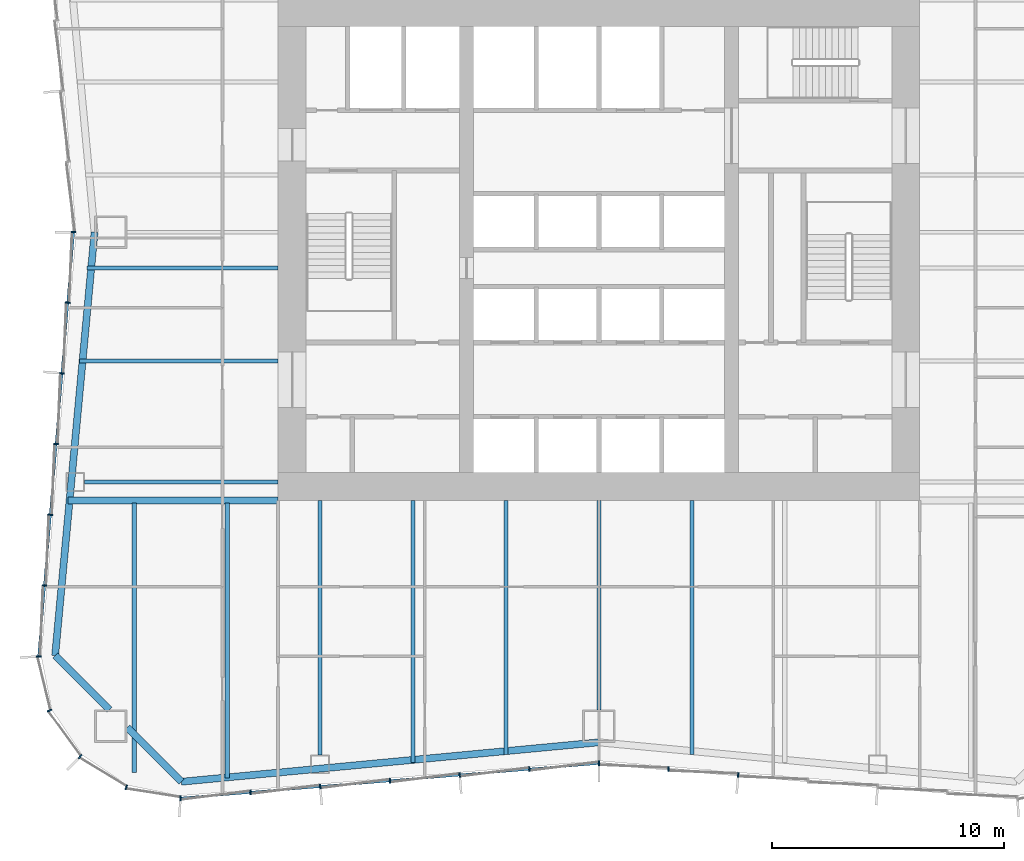
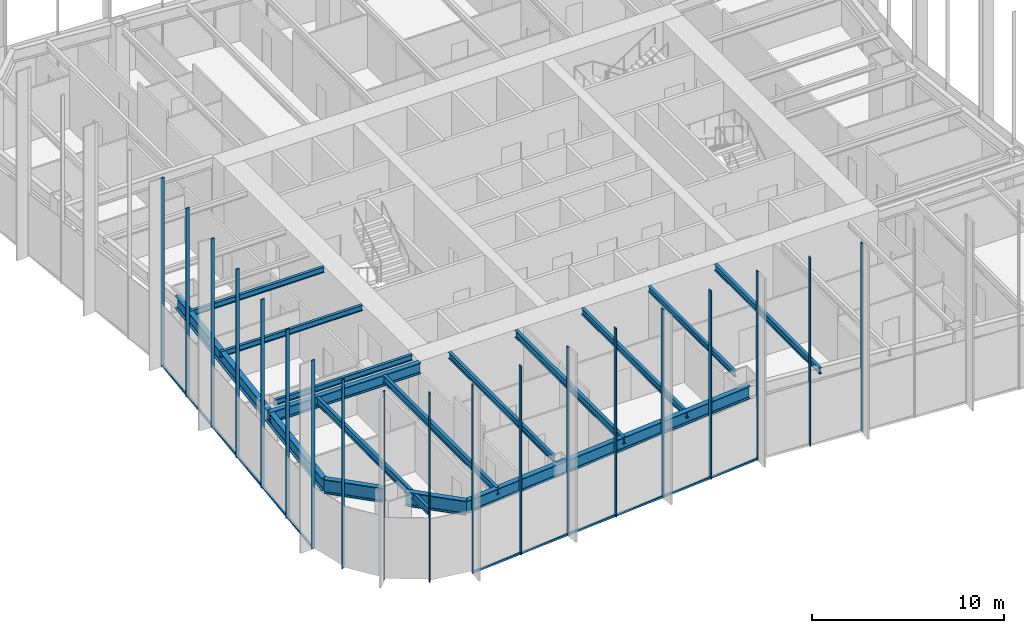
# One storey, part 2 of 13: 21 members, 15 beams, 3 elements without a shape of their own.
"""IFC4 building model written with IfcOpenShell, lengths in metres."""

from ifc_helpers import new_model, si_unit, direction, frame, origin, origin_2d, place, context, subcontext, project, spatial, rectangle, i_section, extrude, material, material_profile, profile_set, type_object, element, aggregate, save


model = new_model("IFC4")

# Units and contexts
model_context = context("Model", 3, precision=1e-05, world=origin(), true_north=direction((0.0, 1.0)))
body_context = subcontext(model_context, "Body", "Model", "MODEL_VIEW")
ifc_project = project(units=[si_unit("LENGTHUNIT", "METRE"), si_unit("AREAUNIT", "SQUARE_METRE"), si_unit("VOLUMEUNIT", "CUBIC_METRE"), si_unit("PLANEANGLEUNIT", "RADIAN"), si_unit("MASSUNIT", "GRAM", prefix="KILO")], contexts=[model_context])

# Site, building, storey
site_placement = place(None, origin())
site = spatial("IfcSite", under=ifc_project, at=site_placement, CompositionType="ELEMENT")
building_placement = place(site_placement, origin())
building = spatial("IfcBuilding", under=site, at=building_placement, Name="Verdant Reach Tower", CompositionType="ELEMENT")
storey_placement = place(building_placement, frame((0.0, 0.0, 70.0)))
storey = spatial("IfcBuildingStorey", under=building, at=storey_placement, Name="L15", CompositionType="ELEMENT", Elevation=70.0)

# Curtain wall, members
ifc_material_1 = material(Name="Anodised aluminium", Category="aluminium")
curtain_wall_type = type_object("IfcCurtainWallType", Name="EN-CW SYSTEM Z1", PredefinedType="NOTDEFINED", material=ifc_material_1)
curtain_wall_1_placement = place(storey_placement, origin())
curtain_wall_1 = element("IfcCurtainWall", 1, at=curtain_wall_1_placement, inside=storey, type_object=curtain_wall_type, Name="Curtain wall west, L15", PredefinedType="NOTDEFINED")
ifc_material_profile_1 = material_profile(ifc_material_1, rectangle(XDim=0.2060546875, YDim=0.06201171875, at=origin_2d()), Name="Mullion 62x206")
ifc_profile_set_1 = profile_set([ifc_material_profile_1], Name="Anodised aluminium")
member_type_1 = type_object("IfcMemberType", Name="EN-MULLION Z1", PredefinedType="MULLION", material=ifc_profile_set_1)
member_1_placement = place(storey_placement, frame((-22.60302734375, 28.75, -0.35009765625), z_axis=(0.0, 0.0, 1.0), x_axis=(-1.0, 0.0, 0.0)))
member_1 = element("IfcMember", 2, at=member_1_placement, type_object=member_type_1, Name="Mullion west face part 2 1, L15", PredefinedType="MULLION", context=body_context, shape_type="SweptSolid", body=[
    extrude(rectangle(XDim=0.2060546875, YDim=0.06201171875, at=origin_2d()), origin(), (0.0, 0.0, 1.0), 12.0),
])
member_2_placement = place(storey_placement, frame((-22.8525390625, 25.716796875, -0.35009765625), z_axis=(0.0, 0.0, 1.0), x_axis=(-0.996639273542, 0.081915556724, 0.0)))
member_2 = element("IfcMember", 3, at=member_2_placement, type_object=member_type_1, Name="Mullion west face part 2 2, L15", PredefinedType="MULLION", context=body_context, shape_type="SweptSolid", body=[
    extrude(rectangle(XDim=0.2060546875, YDim=0.06201171875, at=origin_2d()), origin(), (0.0, 0.0, 1.0), 12.0),
])
member_3_placement = place(storey_placement, frame((-23.1025390625, 22.675048828125, -0.35009765625), z_axis=(0.0, 0.0, 1.0), x_axis=(-0.996639273542, 0.081915556724, 0.0)))
member_3 = element("IfcMember", 4, at=member_3_placement, type_object=member_type_1, Name="Mullion west face part 2 3, L15", PredefinedType="MULLION", context=body_context, shape_type="SweptSolid", body=[
    extrude(rectangle(XDim=0.2060546875, YDim=0.06201171875, at=origin_2d()), origin(), (0.0, 0.0, 1.0), 12.0),
])
member_4_placement = place(storey_placement, frame((-23.3525390625, 19.633544921875, -0.35009765625), z_axis=(0.0, 0.0, 1.0), x_axis=(-0.996639273542, 0.081915556724, 0.0)))
member_4 = element("IfcMember", 5, at=member_4_placement, type_object=member_type_1, Name="Mullion west face part 2 4, L15", PredefinedType="MULLION", context=body_context, shape_type="SweptSolid", body=[
    extrude(rectangle(XDim=0.2060546875, YDim=0.06201171875, at=origin_2d()), origin(), (0.0, 0.0, 1.0), 12.0),
])
member_5_placement = place(storey_placement, frame((-23.6025390625, 16.591796875, -0.35009765625), z_axis=(0.0, 0.0, 1.0), x_axis=(-0.996639273542, 0.081915556724, 0.0)))
member_5 = element("IfcMember", 6, at=member_5_placement, type_object=member_type_1, Name="Mullion west face part 2 5, L15", PredefinedType="MULLION", context=body_context, shape_type="SweptSolid", body=[
    extrude(rectangle(XDim=0.2060546875, YDim=0.06201171875, at=origin_2d()), origin(), (0.0, 0.0, 1.0), 12.0),
])
member_6_placement = place(storey_placement, frame((-23.8525390625, 13.550048828125, -0.35009765625), z_axis=(0.0, 0.0, 1.0), x_axis=(-0.996639273542, 0.081915556724, 0.0)))
member_6 = element("IfcMember", 7, at=member_6_placement, type_object=member_type_1, Name="Mullion west face part 2 6, L15", PredefinedType="MULLION", context=body_context, shape_type="SweptSolid", body=[
    extrude(rectangle(XDim=0.2060546875, YDim=0.06201171875, at=origin_2d()), origin(), (0.0, 0.0, 1.0), 12.0),
])

curtain_wall_2_placement = place(storey_placement, origin())
curtain_wall_2 = element("IfcCurtainWall", 8, at=curtain_wall_2_placement, inside=storey, type_object=curtain_wall_type, Name="Curtain wall south-west corner, L15", PredefinedType="NOTDEFINED")
member_7_placement = place(storey_placement, frame((-24.102783203125, 10.494140625, -0.35009765625), z_axis=(0.0, 0.0, 1.0), x_axis=(-0.998366452275, -0.057135164055, 0.0)))
member_7 = element("IfcMember", 9, at=member_7_placement, type_object=member_type_1, Name="Mullion south-west corner 1, L15", PredefinedType="MULLION", context=body_context, shape_type="SweptSolid", body=[
    extrude(rectangle(XDim=0.2060546875, YDim=0.06201171875, at=origin_2d()), origin(), (0.0, 0.0, 1.0), 12.0),
])
member_8_placement = place(storey_placement, frame((-23.638427734375, 8.16455078125, -0.35009765625), z_axis=(0.0, 0.0, 1.0), x_axis=(-0.923875215753, -0.382693853776, 0.0)))
member_8 = element("IfcMember", 10, at=member_8_placement, type_object=member_type_1, Name="Mullion south-west corner 2, L15", PredefinedType="MULLION", context=body_context, shape_type="SweptSolid", body=[
    extrude(rectangle(XDim=0.2060546875, YDim=0.06201171875, at=origin_2d()), origin(), (0.0, 0.0, 1.0), 12.0),
])
member_9_placement = place(storey_placement, frame((-22.3154296875, 6.1845703125, -0.35009765625), z_axis=(0.0, 0.0, 1.0), x_axis=(-0.707106781187, -0.707106781187, 0.0)))
member_9 = element("IfcMember", 11, at=member_9_placement, type_object=member_type_1, Name="Mullion south-west corner 3, L15", PredefinedType="MULLION", context=body_context, shape_type="SweptSolid", body=[
    extrude(rectangle(XDim=0.2060546875, YDim=0.06201171875, at=origin_2d()), origin(), (0.0, 0.0, 1.0), 12.0),
])
member_10_placement = place(storey_placement, frame((-20.33544921875, 4.861572265625, -0.35009765625), z_axis=(0.0, 0.0, 1.0), x_axis=(-0.382693853776, -0.923875215753, 0.0)))
member_10 = element("IfcMember", 12, at=member_10_placement, type_object=member_type_1, Name="Mullion south-west corner 4, L15", PredefinedType="MULLION", context=body_context, shape_type="SweptSolid", body=[
    extrude(rectangle(XDim=0.2060546875, YDim=0.06201171875, at=origin_2d()), origin(), (0.0, 0.0, 1.0), 12.0),
])
aggregate(curtain_wall_2, [member_7, member_8, member_9, member_10])

curtain_wall_3_placement = place(storey_placement, origin())
curtain_wall_3 = element("IfcCurtainWall", 13, at=curtain_wall_3_placement, inside=storey, type_object=curtain_wall_type, Name="Curtain wall south, L15", PredefinedType="NOTDEFINED")
member_11_placement = place(storey_placement, frame((-18.005859375, 4.397216796875, -0.35009765625), z_axis=(0.0, 0.0, 1.0), x_axis=(-0.056569187765, -0.998398681387, 0.0)))
member_11 = element("IfcMember", 14, at=member_11_placement, type_object=member_type_1, Name="Mullion south face part 1 1, L15", PredefinedType="MULLION", context=body_context, shape_type="SweptSolid", body=[
    extrude(rectangle(XDim=0.2060546875, YDim=0.06201171875, at=origin_2d()), origin(), (0.0, 0.0, 1.0), 12.0),
])
member_12_placement = place(storey_placement, frame((-14.991455078125, 4.6474609375, -0.35009765625), z_axis=(0.0, 0.0, 1.0), x_axis=(0.083045479859, -0.996545758244, 0.0)))
member_12 = element("IfcMember", 15, at=member_12_placement, type_object=member_type_1, Name="Mullion south face part 1 2, L15", PredefinedType="MULLION", context=body_context, shape_type="SweptSolid", body=[
    extrude(rectangle(XDim=0.2060546875, YDim=0.06201171875, at=origin_2d()), origin(), (0.0, 0.0, 1.0), 12.0),
])
member_13_placement = place(storey_placement, frame((-11.991455078125, 4.8974609375, -0.35009765625), z_axis=(0.0, 0.0, 1.0), x_axis=(0.083045479859, -0.996545758244, 0.0)))
member_13 = element("IfcMember", 16, at=member_13_placement, type_object=member_type_1, Name="Mullion south face part 1 3, L15", PredefinedType="MULLION", context=body_context, shape_type="SweptSolid", body=[
    extrude(rectangle(XDim=0.2060546875, YDim=0.06201171875, at=origin_2d()), origin(), (0.0, 0.0, 1.0), 12.0),
])
member_14_placement = place(storey_placement, frame((-8.991455078125, 5.1474609375, -0.35009765625), z_axis=(0.0, 0.0, 1.0), x_axis=(0.083045479859, -0.996545758244, 0.0)))
member_14 = element("IfcMember", 17, at=member_14_placement, type_object=member_type_1, Name="Mullion south face part 1 4, L15", PredefinedType="MULLION", context=body_context, shape_type="SweptSolid", body=[
    extrude(rectangle(XDim=0.2060546875, YDim=0.06201171875, at=origin_2d()), origin(), (0.0, 0.0, 1.0), 12.0),
])
member_15_placement = place(storey_placement, frame((-5.991455078125, 5.3974609375, -0.35009765625), z_axis=(0.0, 0.0, 1.0), x_axis=(0.083045479859, -0.996545758244, 0.0)))
member_15 = element("IfcMember", 18, at=member_15_placement, type_object=member_type_1, Name="Mullion south face part 1 5, L15", PredefinedType="MULLION", context=body_context, shape_type="SweptSolid", body=[
    extrude(rectangle(XDim=0.2060546875, YDim=0.06201171875, at=origin_2d()), origin(), (0.0, 0.0, 1.0), 12.0),
])
member_16_placement = place(storey_placement, frame((-2.991455078125, 5.6474609375, -0.35009765625), z_axis=(0.0, 0.0, 1.0), x_axis=(0.083045479859, -0.996545758244, 0.0)))
member_16 = element("IfcMember", 19, at=member_16_placement, type_object=member_type_1, Name="Mullion south face part 1 6, L15", PredefinedType="MULLION", context=body_context, shape_type="SweptSolid", body=[
    extrude(rectangle(XDim=0.2060546875, YDim=0.06201171875, at=origin_2d()), origin(), (0.0, 0.0, 1.0), 12.0),
])
member_17_placement = place(storey_placement, frame((0.0, 5.89697265625, -0.35009765625), z_axis=(0.0, 0.0, 1.0), x_axis=(0.0, -1.0, 0.0)))
member_17 = element("IfcMember", 20, at=member_17_placement, type_object=member_type_1, Name="Mullion south face part 2 1, L15", PredefinedType="MULLION", context=body_context, shape_type="SweptSolid", body=[
    extrude(rectangle(XDim=0.2060546875, YDim=0.06201171875, at=origin_2d()), origin(), (0.0, 0.0, 1.0), 12.0),
])
member_18_placement = place(storey_placement, frame((2.991455078125, 5.6474609375, -0.35009765625), z_axis=(0.0, 0.0, 1.0), x_axis=(-0.083045479859, -0.996545758244, 0.0)))
member_18 = element("IfcMember", 21, at=member_18_placement, type_object=member_type_1, Name="Mullion south face part 2 2, L15", PredefinedType="MULLION", context=body_context, shape_type="SweptSolid", body=[
    extrude(rectangle(XDim=0.2060546875, YDim=0.06201171875, at=origin_2d()), origin(), (0.0, 0.0, 1.0), 12.0),
])
member_19_placement = place(storey_placement, frame((5.991455078125, 5.3974609375, -0.35009765625), z_axis=(0.0, 0.0, 1.0), x_axis=(-0.083045479859, -0.996545758244, 0.0)))
member_19 = element("IfcMember", 22, at=member_19_placement, type_object=member_type_1, Name="Mullion south face part 2 3, L15", PredefinedType="MULLION", context=body_context, shape_type="SweptSolid", body=[
    extrude(rectangle(XDim=0.2060546875, YDim=0.06201171875, at=origin_2d()), origin(), (0.0, 0.0, 1.0), 12.0),
])

# Member
ifc_material_profile_2 = material_profile(ifc_material_1, rectangle(XDim=0.10009765625, YDim=0.1220703125, at=origin_2d()), Name="Transom 122x100")
ifc_profile_set_2 = profile_set([ifc_material_profile_2], Name="Anodised aluminium")
member_type_2 = type_object("IfcMemberType", Name="EN-TRANSOM Z1", PredefinedType="USERDEFINED", material=ifc_profile_set_2)
member_20_placement = place(storey_placement, frame((-22.60546875, 28.718994140625, -0.2890625), z_axis=(-0.081886623329, -0.996641651207, 0.0), x_axis=(0.996641651207, -0.081886623329, 0.0)))
member_20 = element("IfcMember", 23, at=member_20_placement, type_object=member_type_2, Name="Transom west face part 2 1.1, L15", ObjectType="TRANSOM", PredefinedType="USERDEFINED", context=body_context, shape_type="SweptSolid", body=[
    extrude(rectangle(XDim=0.10009765625, YDim=0.1220703125, at=origin_2d()), origin(), (0.0, 0.0, 1.0), 18.25537109375),
])

aggregate(curtain_wall_1, [member_1, member_2, member_3, member_4, member_5, member_6, member_20])

member_21_placement = place(storey_placement, frame((-17.974853515625, 4.399658203125, -0.2890625), z_axis=(0.996547815143, 0.083020793384, 0.0), x_axis=(-0.083020793384, 0.996547815143, 0.0)))
member_21 = element("IfcMember", 24, at=member_21_placement, type_object=member_type_2, Name="Transom south face part 1 1.1, L15", ObjectType="TRANSOM", PredefinedType="USERDEFINED", context=body_context, shape_type="SweptSolid", body=[
    extrude(rectangle(XDim=0.10009765625, YDim=0.1220703125, at=origin_2d()), origin(), (0.0, 0.0, 1.0), 18.006103515625),
])

aggregate(curtain_wall_3, [member_11, member_12, member_13, member_14, member_15, member_16, member_21, member_17, member_18, member_19])

# Beams
ifc_material_2 = material(Name="Steel S355", Category="steel")
ifc_material_profile_3 = material_profile(ifc_material_2, i_section(OverallWidth=0.300048828125, OverallDepth=0.699951171875, WebThickness=0.01708984375, FlangeThickness=0.031982421875, FilletRadius=0.027099609375, at=origin_2d()), Name="HEB 700")
ifc_profile_set_3 = profile_set([ifc_material_profile_3], Name="Steel S355")
beam_type_1 = type_object("IfcBeamType", Name="ST-BEAM-HEB700", PredefinedType="BEAM", material=ifc_profile_set_3)
beam_1_placement = place(storey_placement, frame((-13.800048828125, 17.199951171875, 3.52001953125), z_axis=(-1.0, 0.0, 0.0), x_axis=(0.0, -1.0, 0.0)))
element("IfcBeam", 25, at=beam_1_placement, inside=storey, type_object=beam_type_1, Name="Trimmer beam, L15", PredefinedType="BEAM", context=body_context, shape_type="SweptSolid", body=[
    extrude(i_section(OverallWidth=0.300048828125, OverallDepth=0.699951171875, WebThickness=0.01708984375, FlangeThickness=0.031982421875, FilletRadius=0.027099609375, at=origin_2d()), origin(), (0.0, 0.0, 1.0), 9.04736328125),
])
ifc_material_profile_4 = material_profile(ifc_material_2, i_section(OverallWidth=0.169921875, OverallDepth=0.360107421875, WebThickness=0.008056640625, FlangeThickness=0.0126953125, FilletRadius=0.01806640625, at=origin_2d()), Name="IPE 360")
ifc_profile_set_4 = profile_set([ifc_material_profile_4], Name="Steel S355")
beam_type_2 = type_object("IfcBeamType", Name="ST-JOIST-IPE360", PredefinedType="JOIST", material=ifc_profile_set_4)
beam_2_placement = place(storey_placement, frame((0.0, 17.199951171875, 3.68994140625), z_axis=(0.0, -1.0, 0.0), x_axis=(1.0, 0.0, 0.0)))
element("IfcBeam", 26, at=beam_2_placement, inside=storey, type_object=beam_type_2, Name="Floor joist, L15", PredefinedType="JOIST", context=body_context, shape_type="SweptSolid", body=[
    extrude(i_section(OverallWidth=0.169921875, OverallDepth=0.360107421875, WebThickness=0.008056640625, FlangeThickness=0.0126953125, FilletRadius=0.01806640625, at=origin_2d()), origin(), (0.0, 0.0, 1.0), 9.0),
])
beam_3_placement = place(storey_placement, frame((-13.800048828125, 18.0, 3.68994140625), z_axis=(-1.0, 0.0, 0.0), x_axis=(0.0, -1.0, 0.0)))
element("IfcBeam", 27, at=beam_3_placement, inside=storey, type_object=beam_type_2, Name="Floor joist, L15", PredefinedType="JOIST", context=body_context, shape_type="SweptSolid", body=[
    extrude(i_section(OverallWidth=0.169921875, OverallDepth=0.360107421875, WebThickness=0.008056640625, FlangeThickness=0.0126953125, FilletRadius=0.01806640625, at=origin_2d()), origin(), (0.0, 0.0, 1.0), 8.33349609375),
])
beam_4_placement = place(storey_placement, frame((-13.800048828125, 23.199951171875, 3.68994140625), z_axis=(-1.0, 0.0, 0.0), x_axis=(0.0, -1.0, 0.0)))
element("IfcBeam", 28, at=beam_4_placement, inside=storey, type_object=beam_type_2, Name="Floor joist, L15", PredefinedType="JOIST", context=body_context, shape_type="SweptSolid", body=[
    extrude(i_section(OverallWidth=0.169921875, OverallDepth=0.360107421875, WebThickness=0.008056640625, FlangeThickness=0.0126953125, FilletRadius=0.01806640625, at=origin_2d()), origin(), (0.0, 0.0, 1.0), 8.553955078125),
])
beam_5_placement = place(storey_placement, frame((-13.800048828125, 27.199951171875, 3.68994140625), z_axis=(-1.0, 0.0, 0.0), x_axis=(0.0, -1.0, 0.0)))
element("IfcBeam", 29, at=beam_5_placement, inside=storey, type_object=beam_type_2, Name="Floor joist, L15", PredefinedType="JOIST", context=body_context, shape_type="SweptSolid", body=[
    extrude(i_section(OverallWidth=0.169921875, OverallDepth=0.360107421875, WebThickness=0.008056640625, FlangeThickness=0.0126953125, FilletRadius=0.01806640625, at=origin_2d()), origin(), (0.0, 0.0, 1.0), 8.225341796875),
])
ifc_material_profile_5 = material_profile(ifc_material_2, i_section(OverallWidth=0.179931640625, OverallDepth=0.39990234375, WebThickness=0.008544921875, FlangeThickness=0.013427734375, FilletRadius=0.02099609375, at=origin_2d()), Name="IPE 400")
ifc_profile_set_5 = profile_set([ifc_material_profile_5], Name="Steel S355")
beam_type_3 = type_object("IfcBeamType", Name="ST-JOIST-IPE400", PredefinedType="JOIST", material=ifc_profile_set_5)
beam_6_placement = place(storey_placement, frame((-12.0, 17.199951171875, 3.669921875), z_axis=(0.0, -1.0, 0.0), x_axis=(1.0, 0.0, 0.0)))
element("IfcBeam", 30, at=beam_6_placement, inside=storey, type_object=beam_type_3, Name="Floor joist, L15", PredefinedType="JOIST", context=body_context, shape_type="SweptSolid", body=[
    extrude(i_section(OverallWidth=0.179931640625, OverallDepth=0.39990234375, WebThickness=0.008544921875, FlangeThickness=0.013427734375, FilletRadius=0.02099609375, at=origin_2d()), origin(), (0.0, 0.0, 1.0), 10.949951171875),
])
for number, where, z_axis, x_axis, name in (
    (31, (-4.0, 17.199951171875, 3.669921875), (0.0, -1.0, 0.0), (1.0, 0.0, 0.0), "Floor joist, L15"),
    (32, (4.0, 17.199951171875, 3.669921875), (0.0, -1.0, 0.0), (1.0, 0.0, 0.0), "Floor joist, L15"),
):
    element("IfcBeam", number, at=place(storey_placement, frame(where, z_axis=z_axis, x_axis=x_axis)), inside=storey, type_object=beam_type_3, Name=name, PredefinedType="JOIST", context=body_context, shape_type="SweptSolid", body=[
        extrude(i_section(OverallWidth=0.179931640625, OverallDepth=0.39990234375, WebThickness=0.008544921875, FlangeThickness=0.013427734375, FilletRadius=0.02099609375, at=origin_2d()), origin(), (0.0, 0.0, 1.0), 10.93115234375),
    ])
ifc_material_profile_6 = material_profile(ifc_material_2, i_section(OverallWidth=0.18994140625, OverallDepth=0.449951171875, WebThickness=0.009521484375, FlangeThickness=0.0146484375, FilletRadius=0.02099609375, at=origin_2d()), Name="IPE 450")
ifc_profile_set_6 = profile_set([ifc_material_profile_6], Name="Steel S355")
beam_type_4 = type_object("IfcBeamType", Name="ST-JOIST-IPE450", PredefinedType="JOIST", material=ifc_profile_set_6)
beam_7_placement = place(storey_placement, frame((-20.0, 17.10009765625, 3.64501953125), z_axis=(0.0, -1.0, 0.0), x_axis=(1.0, 0.0, 0.0)))
element("IfcBeam", 33, at=beam_7_placement, inside=storey, type_object=beam_type_4, Name="Floor joist, L15", PredefinedType="JOIST", context=body_context, shape_type="SweptSolid", body=[
    extrude(i_section(OverallWidth=0.18994140625, OverallDepth=0.449951171875, WebThickness=0.009521484375, FlangeThickness=0.0146484375, FilletRadius=0.02099609375, at=origin_2d()), origin(), (0.0, 0.0, 1.0), 11.590576171875),
])
beam_8_placement = place(storey_placement, frame((-16.0, 17.10009765625, 3.64501953125), z_axis=(0.0, -1.0, 0.0), x_axis=(1.0, 0.0, 0.0)))
element("IfcBeam", 34, at=beam_8_placement, inside=storey, type_object=beam_type_4, Name="Floor joist, L15", PredefinedType="JOIST", context=body_context, shape_type="SweptSolid", body=[
    extrude(i_section(OverallWidth=0.18994140625, OverallDepth=0.449951171875, WebThickness=0.009521484375, FlangeThickness=0.0146484375, FilletRadius=0.02099609375, at=origin_2d()), origin(), (0.0, 0.0, 1.0), 11.831298828125),
])
beam_9_placement = place(storey_placement, frame((-8.0, 17.199951171875, 3.64501953125), z_axis=(0.0, -1.0, 0.0), x_axis=(1.0, 0.0, 0.0)))
element("IfcBeam", 35, at=beam_9_placement, inside=storey, type_object=beam_type_4, Name="Floor joist, L15", PredefinedType="JOIST", context=body_context, shape_type="SweptSolid", body=[
    extrude(i_section(OverallWidth=0.18994140625, OverallDepth=0.449951171875, WebThickness=0.009521484375, FlangeThickness=0.0146484375, FilletRadius=0.02099609375, at=origin_2d()), origin(), (0.0, 0.0, 1.0), 11.2646484375),
])
ifc_material_profile_7 = material_profile(ifc_material_2, i_section(OverallWidth=0.300048828125, OverallDepth=0.800048828125, WebThickness=0.017578125, FlangeThickness=0.032958984375, FilletRadius=0.030029296875, at=origin_2d()), Name="HEB 800")
ifc_profile_set_7 = profile_set([ifc_material_profile_7], Name="Steel S355")
beam_type_5 = type_object("IfcBeamType", Name="ST-SPANDREL-HEB800", PredefinedType="SPANDREL", material=ifc_profile_set_7)
beam_10_placement = place(storey_placement, frame((0.0, 6.800048828125, 3.469970703125), z_axis=(-0.995578571765, -0.093932462137, 0.0), x_axis=(0.093932462137, -0.995578571765, 0.0)))
element("IfcBeam", 36, at=beam_10_placement, inside=storey, type_object=beam_type_5, Name="Edge beam, L15", PredefinedType="SPANDREL", context=body_context, shape_type="SweptSolid", body=[
    extrude(i_section(OverallWidth=0.300048828125, OverallDepth=0.800048828125, WebThickness=0.017578125, FlangeThickness=0.032958984375, FilletRadius=0.030029296875, at=origin_2d()), origin(), (0.0, 0.0, 1.0), 18.045654296875),
])
beam_11_placement = place(storey_placement, frame((-23.39501953125, 10.53466796875, 3.469970703125), z_axis=(0.092656907618, 0.995698095544, 0.0), x_axis=(-0.995698095544, 0.092656907618, 0.0)))
element("IfcBeam", 37, at=beam_11_placement, inside=storey, type_object=beam_type_5, Name="Edge beam, L15", PredefinedType="SPANDREL", context=body_context, shape_type="SweptSolid", body=[
    extrude(i_section(OverallWidth=0.300048828125, OverallDepth=0.800048828125, WebThickness=0.017578125, FlangeThickness=0.032958984375, FilletRadius=0.030029296875, at=origin_2d()), origin(), (0.0, 0.0, 1.0), 18.2939453125),
])
ifc_material_profile_8 = material_profile(ifc_material_2, i_section(OverallWidth=0.302001953125, OverallDepth=0.909912109375, WebThickness=0.02099609375, FlangeThickness=0.0400390625, FilletRadius=0.030029296875, at=origin_2d()), Name="HEM 900")
ifc_profile_set_8 = profile_set([ifc_material_profile_8], Name="Steel S355")
beam_type_6 = type_object("IfcBeamType", Name="ST-SPANDREL-HEM900", PredefinedType="SPANDREL", material=ifc_profile_set_8)
beam_12_placement = place(storey_placement, frame((-17.9658203125, 5.10498046875, 3.4150390625), z_axis=(-0.707106781187, 0.707106781187, 0.0), x_axis=(-0.707106781187, -0.707106781187, 0.0)))
element("IfcBeam", 38, at=beam_12_placement, inside=storey, type_object=beam_type_6, Name="Edge beam, L15", PredefinedType="SPANDREL", context=body_context, shape_type="SweptSolid", body=[
    extrude(i_section(OverallWidth=0.302001953125, OverallDepth=0.909912109375, WebThickness=0.02099609375, FlangeThickness=0.0400390625, FilletRadius=0.030029296875, at=origin_2d()), origin(), (0.0, 0.0, 1.0), 3.301025390625),
])
beam_13_placement = place(storey_placement, frame((-21.060546875, 8.199951171875, 3.4150390625), z_axis=(-0.707069807316, 0.707143753123, 0.0), x_axis=(-0.707143753123, -0.707069807316, 0.0)))
element("IfcBeam", 39, at=beam_13_placement, inside=storey, type_object=beam_type_6, Name="Edge beam, L15", PredefinedType="SPANDREL", context=body_context, shape_type="SweptSolid", body=[
    extrude(i_section(OverallWidth=0.302001953125, OverallDepth=0.909912109375, WebThickness=0.02099609375, FlangeThickness=0.0400390625, FilletRadius=0.030029296875, at=origin_2d()), origin(), (0.0, 0.0, 1.0), 3.301513671875),
])

save(model, "model.ifc")
